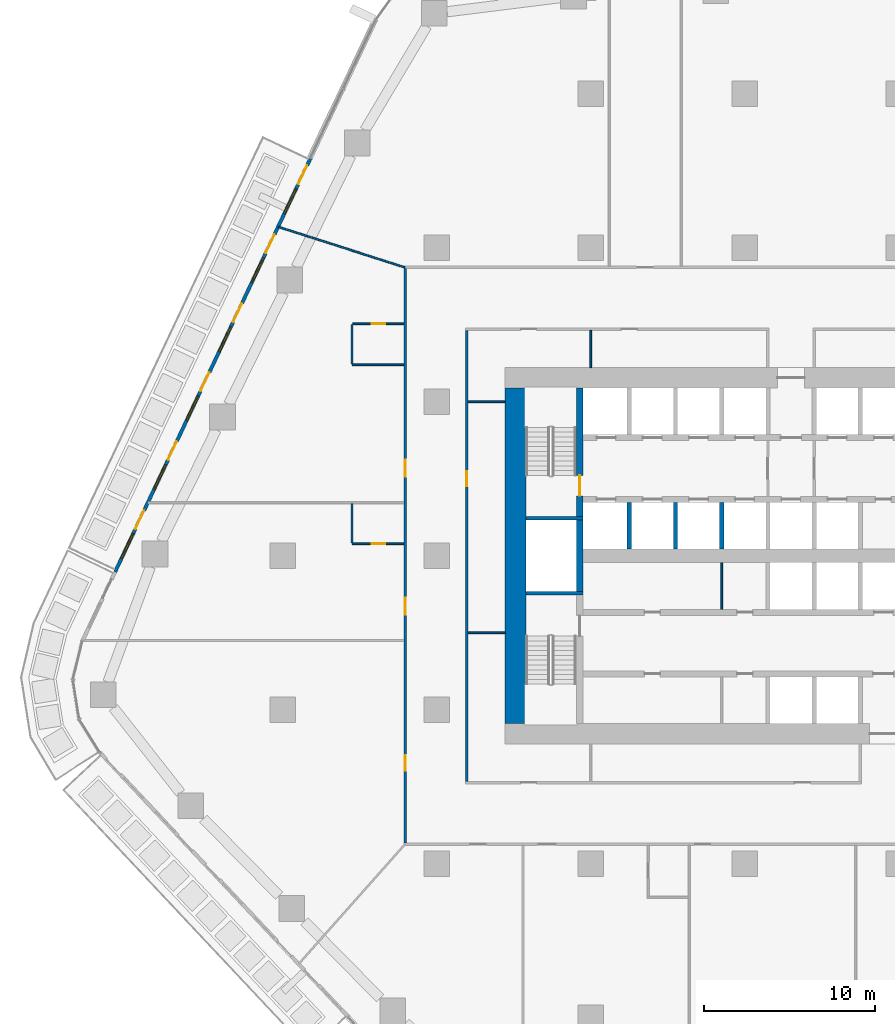
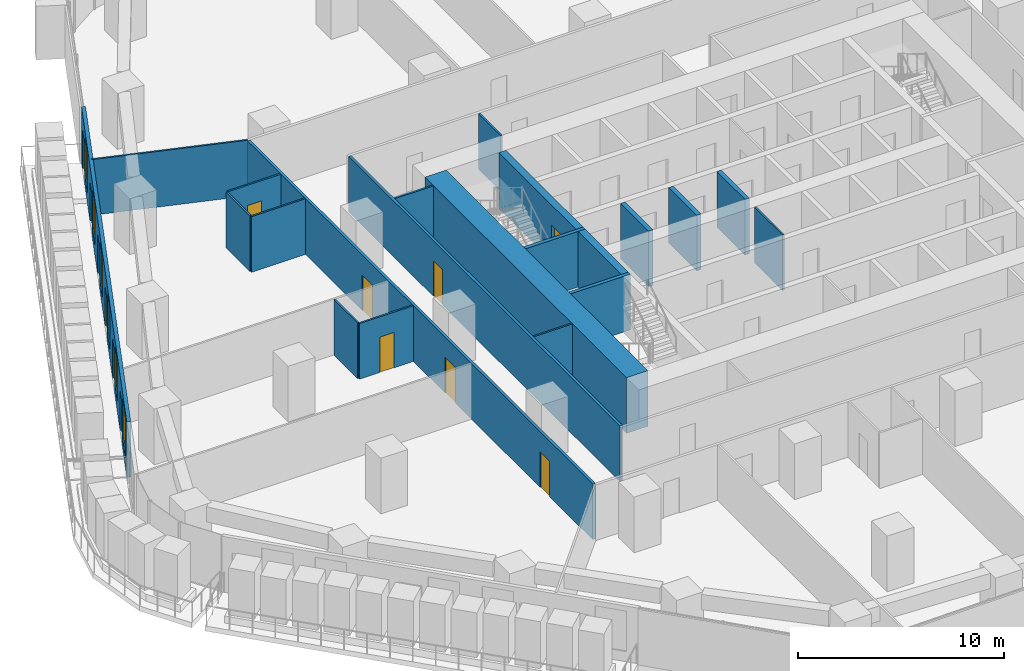
# One storey, part 15 of 25: 21 walls, 13 doors, 6 windows, 19 openings.
"""IFC4 building model written with IfcOpenShell, lengths in metres."""

from ifc_helpers import new_model, si_unit, direction, frame, frame_2d, origin, place, context, subcontext, project, spatial, rectangle, extrude, material, layer, layer_set, type_object, element, fill, save


model = new_model("IFC4")

# Units and contexts
model_context = context("Model", 3, precision=1e-05, world=origin(), true_north=direction((0.0, 1.0)))
body_context = subcontext(model_context, "Body", "Model", "MODEL_VIEW")
ifc_project = project(units=[si_unit("LENGTHUNIT", "METRE"), si_unit("AREAUNIT", "SQUARE_METRE"), si_unit("VOLUMEUNIT", "CUBIC_METRE"), si_unit("PLANEANGLEUNIT", "RADIAN"), si_unit("MASSUNIT", "GRAM", prefix="KILO")], contexts=[model_context])

# Site, building, storey
site_placement = place(None, origin())
site = spatial("IfcSite", under=ifc_project, at=site_placement, CompositionType="ELEMENT")
building_placement = place(site_placement, origin())
building = spatial("IfcBuilding", under=site, at=building_placement, Name="Dongbaek Canopy Tower", CompositionType="ELEMENT")
storey_placement = place(building_placement, frame((0.0, 0.0, 81.0)))
storey = spatial("IfcBuildingStorey", under=building, at=storey_placement, Name="L16", CompositionType="ELEMENT", Elevation=81.0)

# Wall
ifc_material_1 = material(Name="Concrete C60/75", Category="concrete")
ifc_layer_1 = layer(ifc_material_1, 1.199951171875)
ifc_layer_set_1 = layer_set([ifc_layer_1], Name="Core outer wall 1200 Concrete C60/75")
wall_type_1 = type_object("IfcWallType", Name="Core outer wall 1200 Concrete C60/75", PredefinedType="SHEAR", material=ifc_layer_set_1)
wall_1_placement = place(storey_placement, frame((-13.39990234375, -9.800048828125, 0.0), z_axis=(0.0, 0.0, 1.0), x_axis=(0.0, 1.0, 0.0)))
element("IfcWall", 1, at=wall_1_placement, inside=storey, type_object=wall_type_1, Name="Core wall", PredefinedType="SHEAR", context=body_context, shape_type="SweptSolid", body=[
    extrude(rectangle(XDim=19.60009765625, YDim=1.199951171875, at=frame_2d((9.800048828125, 0.0))), origin(), (0.0, 0.0, 1.0), 3.300048828125),
])

# Wall, opening, door
ifc_material_2 = material(Name="Gypsum board partition, steel stud, 2 x 15 mm fire board", Category="steel")
ifc_layer_2 = layer(ifc_material_2, 0.14990234375)
ifc_layer_set_2 = layer_set([ifc_layer_2], Name="Fire-rated partition 150 gypsum board")
wall_type_2 = type_object("IfcWallType", Name="Fire-rated partition 150 gypsum board", PredefinedType="PARTITIONING", material=ifc_layer_set_2)
wall_2_placement = place(storey_placement, frame((-16.25, 13.175048828125, 0.0), z_axis=(0.0, 0.0, 1.0), x_axis=(0.0, -1.0, 0.0)))
wall_2 = element("IfcWall", 2, at=wall_2_placement, inside=storey, type_object=wall_type_2, Name="Corridor partition", PredefinedType="PARTITIONING", context=body_context, shape_type="SweptSolid", body=[
    extrude(rectangle(XDim=26.35009765625, YDim=0.14990234375, at=frame_2d((13.175048828125, 0.0))), origin(), (0.0, 0.0, 1.0), 3.300048828125),
])
opening_1_placement = place(wall_2_placement, frame((8.22509765625, 0.0, 0.0)))
opening_1 = element("IfcOpeningElement", 3, at=opening_1_placement, cuts=wall_2, Name="Opening L16-D021", PredefinedType="OPENING", context=body_context, shape_type="SweptSolid", body=[
    extrude(rectangle(XDim=0.89990234375, YDim=2.10009765625, at=frame_2d((0.449951171875, 1.050048828125))), frame((0.0, 0.0849609375, 0.0), z_axis=(0.0, -1.0, 0.0), x_axis=(1.0, 0.0, 0.0)), (0.0, 0.0, 1.0), 0.169921875),
])
ifc_material_3 = material(Name="Timber veneered door leaf", Category="wood")
door_type_1 = type_object("IfcDoorType", Name="Room door 900 x 2100", OperationType="SINGLE_SWING_LEFT", PredefinedType="DOOR", material=ifc_material_3)
door_1_placement = place(opening_1_placement, origin())
door_1 = element("IfcDoor", 4, at=door_1_placement, inside=storey, type_object=door_type_1, Name="Door L16-D021", OperationType="SINGLE_SWING_LEFT", OverallHeight=2.10009765625, OverallWidth=0.89990234375, PredefinedType="DOOR", context=body_context, shape_type="SweptSolid", body=[
    extrude(rectangle(XDim=0.89990234375, YDim=2.10009765625, at=frame_2d((0.449951171875, 1.050048828125))), frame((0.0, 0.02490234375, 0.0), z_axis=(0.0, -1.0, 0.0), x_axis=(1.0, 0.0, 0.0)), (0.0, 0.0, 1.0), 0.050048828125),
])
fill(opening_1, door_1)

# Wall, openings, doors
wall_3_placement = place(storey_placement, frame((-19.85009765625, -16.77490234375, 0.0), z_axis=(0.0, 0.0, 1.0), x_axis=(0.0, 1.0, 0.0)))
wall_3 = element("IfcWall", 5, at=wall_3_placement, inside=storey, type_object=wall_type_2, Name="Corridor partition", PredefinedType="PARTITIONING", context=body_context, shape_type="SweptSolid", body=[
    extrude(rectangle(XDim=33.5498046875, YDim=0.14990234375, at=frame_2d((16.77490234375, 0.0))), origin(), (0.0, 0.0, 1.0), 3.300048828125),
])
opening_2_placement = place(wall_3_placement, frame((13.33154296875, 0.0, 0.0)))
opening_2 = element("IfcOpeningElement", 6, at=opening_2_placement, cuts=wall_3, Name="Opening L16-D002", PredefinedType="OPENING", context=body_context, shape_type="SweptSolid", body=[
    extrude(rectangle(XDim=1.0, YDim=2.10009765625, at=frame_2d((0.5, 1.050048828125))), frame((0.0, 0.0849609375, 0.0), z_axis=(0.0, -1.0, 0.0), x_axis=(1.0, 0.0, 0.0)), (0.0, 0.0, 1.0), 0.169921875),
])
opening_3_placement = place(wall_3_placement, frame((4.20654296875, 0.0, 0.0)))
opening_3 = element("IfcOpeningElement", 7, at=opening_3_placement, cuts=wall_3, Name="Opening L16-D003", PredefinedType="OPENING", context=body_context, shape_type="SweptSolid", body=[
    extrude(rectangle(XDim=0.89990234375, YDim=2.10009765625, at=frame_2d((0.449951171875, 1.050048828125))), frame((0.0, 0.0849609375, 0.0), z_axis=(0.0, -1.0, 0.0), x_axis=(1.0, 0.0, 0.0)), (0.0, 0.0, 1.0), 0.169921875),
])
opening_4_placement = place(wall_3_placement, frame((21.388916015625, 0.0, 0.0)))
opening_4 = element("IfcOpeningElement", 8, at=opening_4_placement, cuts=wall_3, Name="Opening L16-D013", PredefinedType="OPENING", context=body_context, shape_type="SweptSolid", body=[
    extrude(rectangle(XDim=1.0, YDim=2.10009765625, at=frame_2d((0.5, 1.050048828125))), frame((0.0, 0.0849609375, 0.0), z_axis=(0.0, -1.0, 0.0), x_axis=(1.0, 0.0, 0.0)), (0.0, 0.0, 1.0), 0.169921875),
])
ifc_material_4 = material(Name="Timber veneered door leaf", Category="wood")
door_type_2 = type_object("IfcDoorType", Name="Guest room door 1000 x 2100", OperationType="SINGLE_SWING_LEFT", PredefinedType="DOOR", material=ifc_material_4)
door_2_placement = place(opening_2_placement, origin())
door_2 = element("IfcDoor", 9, at=door_2_placement, inside=storey, type_object=door_type_2, Name="Door L16-D002", OperationType="SINGLE_SWING_RIGHT", OverallHeight=2.10009765625, OverallWidth=1.0, PredefinedType="DOOR", context=body_context, shape_type="SweptSolid", body=[
    extrude(rectangle(XDim=1.0, YDim=2.10009765625, at=frame_2d((0.5, 1.050048828125))), frame((0.0, 0.02490234375, 0.0), z_axis=(0.0, -1.0, 0.0), x_axis=(1.0, 0.0, 0.0)), (0.0, 0.0, 1.0), 0.050048828125),
])
fill(opening_2, door_2)
door_3_placement = place(opening_4_placement, origin())
door_3 = element("IfcDoor", 10, at=door_3_placement, inside=storey, type_object=door_type_2, Name="Door L16-D013", OperationType="SINGLE_SWING_LEFT", OverallHeight=2.10009765625, OverallWidth=1.0, PredefinedType="DOOR", context=body_context, shape_type="SweptSolid", body=[
    extrude(rectangle(XDim=1.0, YDim=2.10009765625, at=frame_2d((0.5, 1.050048828125))), frame((0.0, 0.02490234375, 0.0), z_axis=(0.0, -1.0, 0.0), x_axis=(1.0, 0.0, 0.0)), (0.0, 0.0, 1.0), 0.050048828125),
])
fill(opening_4, door_3)
door_4_placement = place(opening_3_placement, origin())
door_4 = element("IfcDoor", 11, at=door_4_placement, inside=storey, type_object=door_type_1, Name="Door L16-D003", OperationType="SINGLE_SWING_LEFT", OverallHeight=2.10009765625, OverallWidth=0.89990234375, PredefinedType="DOOR", context=body_context, shape_type="SweptSolid", body=[
    extrude(rectangle(XDim=0.89990234375, YDim=2.10009765625, at=frame_2d((0.449951171875, 1.050048828125))), frame((0.0, 0.02490234375, 0.0), z_axis=(0.0, -1.0, 0.0), x_axis=(1.0, 0.0, 0.0)), (0.0, 0.0, 1.0), 0.050048828125),
])
fill(opening_3, door_4)

# Walls
ifc_material_5 = material(Name="Concrete C40/50", Category="concrete")
ifc_layer_3 = layer(ifc_material_5, 0.25)
ifc_layer_set_3 = layer_set([ifc_layer_3], Name="Lift shaft wall 250 Concrete C40/50")
wall_type_3 = type_object("IfcWallType", Name="Lift shaft wall 250 Concrete C40/50", PredefinedType="SOLIDWALL", material=ifc_layer_set_3)
for number, where, z_axis, x_axis, name in (
    (12, (-1.35009765625, 0.39990234375, 0.0), (0.0, 0.0, 1.0), (0.0, 1.0, 0.0), "Lift shaft wall"),
    (13, (-4.050048828125, 0.39990234375, 0.0), (0.0, 0.0, 1.0), (0.0, 1.0, 0.0), "Lift shaft wall"),
    (14, (-6.75, 0.39990234375, 0.0), (0.0, 0.0, 1.0), (0.0, 1.0, 0.0), "Lift shaft wall"),
):
    element("IfcWall", number, at=place(storey_placement, frame(where, z_axis=z_axis, x_axis=x_axis)), inside=storey, type_object=wall_type_3, Name=name, PredefinedType="SOLIDWALL", context=body_context, shape_type="SweptSolid", body=[
        extrude(rectangle(XDim=2.72509765625, YDim=0.25, at=frame_2d((1.362548828125, 0.0))), origin(), (0.0, 0.0, 1.0), 3.300048828125),
    ])
ifc_material_6 = material(Name="Gypsum board partition, steel stud, 2 x 12.5 mm board", Category="steel")
ifc_layer_4 = layer(ifc_material_6, 0.10009765625)
ifc_layer_set_4 = layer_set([ifc_layer_4], Name="Partition 100 gypsum board")
wall_type_4 = type_object("IfcWallType", Name="Partition 100 gypsum board", PredefinedType="PARTITIONING", material=ifc_layer_set_4)
wall_4_placement = place(storey_placement, frame((-16.175048828125, -4.5, 0.0), z_axis=(0.0, 0.0, 1.0), x_axis=(1.0, 0.0, 0.0)))
element("IfcWall", 15, at=wall_4_placement, inside=storey, type_object=wall_type_4, Name="Partition", PredefinedType="PARTITIONING", context=body_context, shape_type="SweptSolid", body=[
    extrude(rectangle(XDim=2.175048828125, YDim=0.10009765625, at=frame_2d((1.08740234375, 0.0))), origin(), (0.0, 0.0, 1.0), 3.300048828125),
])

# Wall, opening, door
wall_5_placement = place(storey_placement, frame((-22.949951171875, 0.697998046875, 0.0), z_axis=(0.0, 0.0, 1.0), x_axis=(1.0, 0.0, 0.0)))
wall_5 = element("IfcWall", 16, at=wall_5_placement, inside=storey, type_object=wall_type_4, Name="Partition", PredefinedType="PARTITIONING", context=body_context, shape_type="SweptSolid", body=[
    extrude(rectangle(XDim=3.02490234375, YDim=0.10009765625, at=frame_2d((1.512451171875, 0.0))), origin(), (0.0, 0.0, 1.0), 3.300048828125),
])
opening_5_placement = place(wall_5_placement, frame((1.14990234375, 0.0, 0.0)))
opening_5 = element("IfcOpeningElement", 17, at=opening_5_placement, cuts=wall_5, Name="Opening L16-D001", PredefinedType="OPENING", context=body_context, shape_type="SweptSolid", body=[
    extrude(rectangle(XDim=0.800048828125, YDim=2.10009765625, at=frame_2d((0.39990234375, 1.050048828125))), frame((0.0, 0.06005859375, 0.0), z_axis=(0.0, -1.0, 0.0), x_axis=(1.0, 0.0, 0.0)), (0.0, 0.0, 1.0), 0.1201171875),
])
ifc_material_7 = material(Name="Timber veneered door leaf", Category="wood")
door_type_3 = type_object("IfcDoorType", Name="En-suite door 800 x 2100", OperationType="SINGLE_SWING_LEFT", PredefinedType="DOOR", material=ifc_material_7)
door_5_placement = place(opening_5_placement, origin())
door_5 = element("IfcDoor", 18, at=door_5_placement, inside=storey, type_object=door_type_3, Name="Door L16-D001", OperationType="SINGLE_SWING_LEFT", OverallHeight=2.10009765625, OverallWidth=0.800048828125, PredefinedType="DOOR", context=body_context, shape_type="SweptSolid", body=[
    extrude(rectangle(XDim=0.800048828125, YDim=2.10009765625, at=frame_2d((0.39990234375, 1.050048828125))), frame((0.0, 0.02490234375, 0.0), z_axis=(0.0, -1.0, 0.0), x_axis=(1.0, 0.0, 0.0)), (0.0, 0.0, 1.0), 0.050048828125),
])
fill(opening_5, door_5)

# Walls
wall_6_placement = place(storey_placement, frame((-16.175048828125, 9.0, 0.0), z_axis=(0.0, 0.0, 1.0), x_axis=(1.0, 0.0, 0.0)))
element("IfcWall", 19, at=wall_6_placement, inside=storey, type_object=wall_type_4, Name="Partition", PredefinedType="PARTITIONING", context=body_context, shape_type="SweptSolid", body=[
    extrude(rectangle(XDim=2.175048828125, YDim=0.10009765625, at=frame_2d((1.08740234375, 0.0))), origin(), (0.0, 0.0, 1.0), 3.300048828125),
])
wall_7_placement = place(storey_placement, frame((-22.949951171875, 11.159912109375, 0.0), z_axis=(0.0, 0.0, 1.0), x_axis=(1.0, 0.0, 0.0)))
element("IfcWall", 20, at=wall_7_placement, inside=storey, type_object=wall_type_4, Name="Partition", PredefinedType="PARTITIONING", context=body_context, shape_type="SweptSolid", body=[
    extrude(rectangle(XDim=3.02490234375, YDim=0.10009765625, at=frame_2d((1.512451171875, 0.0))), origin(), (0.0, 0.0, 1.0), 3.300048828125),
])

# Wall, opening, door
wall_8_placement = place(storey_placement, frame((-19.925048828125, 13.56005859375, 0.0), z_axis=(0.0, 0.0, 1.0), x_axis=(-1.0, 0.0, 0.0)))
wall_8 = element("IfcWall", 21, at=wall_8_placement, inside=storey, type_object=wall_type_4, Name="Partition", PredefinedType="PARTITIONING", context=body_context, shape_type="SweptSolid", body=[
    extrude(rectangle(XDim=2.974853515625, YDim=0.10009765625, at=frame_2d((1.4873046875, 0.0))), origin(), (0.0, 0.0, 1.0), 3.300048828125),
])
opening_6_placement = place(wall_8_placement, frame((1.074951171875, 0.0, 0.0)))
opening_6 = element("IfcOpeningElement", 22, at=opening_6_placement, cuts=wall_8, Name="Opening L16-D012", PredefinedType="OPENING", context=body_context, shape_type="SweptSolid", body=[
    extrude(rectangle(XDim=0.800048828125, YDim=2.10009765625, at=frame_2d((0.39990234375, 1.050048828125))), frame((0.0, 0.06005859375, 0.0), z_axis=(0.0, -1.0, 0.0), x_axis=(1.0, 0.0, 0.0)), (0.0, 0.0, 1.0), 0.1201171875),
])
door_6_placement = place(opening_6_placement, origin())
door_6 = element("IfcDoor", 23, at=door_6_placement, inside=storey, type_object=door_type_3, Name="Door L16-D012", OperationType="SINGLE_SWING_RIGHT", OverallHeight=2.10009765625, OverallWidth=0.800048828125, PredefinedType="DOOR", context=body_context, shape_type="SweptSolid", body=[
    extrude(rectangle(XDim=0.800048828125, YDim=2.10009765625, at=frame_2d((0.39990234375, 1.050048828125))), frame((0.0, 0.02490234375, 0.0), z_axis=(0.0, -1.0, 0.0), x_axis=(1.0, 0.0, 0.0)), (0.0, 0.0, 1.0), 0.050048828125),
])
fill(opening_6, door_6)

# Walls
wall_9_placement = place(storey_placement, frame((-9.0, 11.0, 0.0), z_axis=(0.0, 0.0, 1.0), x_axis=(0.0, 1.0, 0.0)))
element("IfcWall", 24, at=wall_9_placement, inside=storey, type_object=wall_type_4, Name="Partition", PredefinedType="PARTITIONING", context=body_context, shape_type="SweptSolid", body=[
    extrude(rectangle(XDim=2.175048828125, YDim=0.10009765625, at=frame_2d((1.08740234375, 0.0))), origin(), (0.0, 0.0, 1.0), 3.300048828125),
])
wall_10_placement = place(storey_placement, frame((-22.949951171875, 0.748291015625, 0.0), z_axis=(0.0, 0.0, 1.0), x_axis=(0.0, 1.0, 0.0)))
element("IfcWall", 25, at=wall_10_placement, inside=storey, type_object=wall_type_4, Name="Partition", PredefinedType="PARTITIONING", context=body_context, shape_type="SweptSolid", body=[
    extrude(rectangle(XDim=2.2998046875, YDim=0.10009765625, at=frame_2d((1.14990234375, 0.0))), origin(), (0.0, 0.0, 1.0), 3.300048828125),
])
wall_11_placement = place(storey_placement, frame((-22.949951171875, 11.210205078125, 0.0), z_axis=(0.0, 0.0, 1.0), x_axis=(0.0, 1.0, 0.0)))
element("IfcWall", 26, at=wall_11_placement, inside=storey, type_object=wall_type_4, Name="Partition", PredefinedType="PARTITIONING", context=body_context, shape_type="SweptSolid", body=[
    extrude(rectangle(XDim=2.300048828125, YDim=0.10009765625, at=frame_2d((1.14990234375, 0.0))), origin(), (0.0, 0.0, 1.0), 3.300048828125),
])
wall_12_placement = place(storey_placement, frame((-27.25341796875, 19.2158203125, 0.0), z_axis=(0.0, 0.0, 1.0), x_axis=(0.952548805098, -0.304385896366, 0.0)))
element("IfcWall", 27, at=wall_12_placement, inside=storey, type_object=wall_type_4, Name="Partition", PredefinedType="PARTITIONING", context=body_context, shape_type="SweptSolid", body=[
    extrude(rectangle(XDim=7.772216796875, YDim=0.10009765625, at=frame_2d((3.88623046875, 0.0))), origin(), (0.0, 0.0, 1.0), 3.300048828125),
])
wall_13_placement = place(storey_placement, frame((-1.35009765625, -3.125, 0.0), z_axis=(0.0, 0.0, 1.0), x_axis=(0.0, 1.0, 0.0)))
element("IfcWall", 28, at=wall_13_placement, inside=storey, type_object=wall_type_4, Name="Core partition", PredefinedType="PARTITIONING", context=body_context, shape_type="SweptSolid", body=[
    extrude(rectangle(XDim=2.72509765625, YDim=0.10009765625, at=frame_2d((1.362548828125, 0.0))), origin(), (0.0, 0.0, 1.0), 3.300048828125),
])
ifc_material_8 = material(Name="Concrete C60/75", Category="concrete")
ifc_layer_5 = layer(ifc_material_8, 0.199951171875)
ifc_layer_set_5 = layer_set([ifc_layer_5], Name="Riser wall 200 Concrete C60/75")
wall_type_5 = type_object("IfcWallType", Name="Riser wall 200 Concrete C60/75", PredefinedType="SHEAR", material=ifc_layer_set_5)
for number, where, z_axis, x_axis, name in (
    (29, (-9.449951171875, 2.199951171875, 0.0), (0.0, 0.0, 1.0), (-1.0, 0.0, 0.0), "Riser wall"),
    (30, (-9.449951171875, -2.199951171875, 0.0), (0.0, 0.0, 1.0), (-1.0, 0.0, 0.0), "Riser wall"),
):
    element("IfcWall", number, at=place(storey_placement, frame(where, z_axis=z_axis, x_axis=x_axis)), inside=storey, type_object=wall_type_5, Name=name, PredefinedType="SHEAR", context=body_context, shape_type="SweptSolid", body=[
        extrude(rectangle(XDim=3.35009765625, YDim=0.199951171875, at=frame_2d((1.675048828125, 0.0))), origin(), (0.0, 0.0, 1.0), 3.300048828125),
    ])
ifc_material_9 = material(Name="Concrete C60/75", Category="concrete")
ifc_layer_6 = layer(ifc_material_9, 0.39990234375)
ifc_layer_set_6 = layer_set([ifc_layer_6], Name="Stair wall 400 Concrete C60/75")
wall_type_6 = type_object("IfcWallType", Name="Stair wall 400 Concrete C60/75", PredefinedType="SHEAR", material=ifc_layer_set_6)
wall_14_placement = place(storey_placement, frame((-9.64990234375, -2.10009765625, 0.0), z_axis=(0.0, 0.0, 1.0), x_axis=(0.0, 1.0, 0.0)))
element("IfcWall", 31, at=wall_14_placement, inside=storey, type_object=wall_type_6, Name="Stair wall", PredefinedType="SHEAR", context=body_context, shape_type="SweptSolid", body=[
    extrude(rectangle(XDim=4.2001953125, YDim=0.39990234375, at=frame_2d((2.10009765625, 0.0))), origin(), (0.0, 0.0, 1.0), 3.300048828125),
])

# Wall, opening, door
wall_15_placement = place(storey_placement, frame((-9.64990234375, 2.300048828125, 0.0), z_axis=(0.0, 0.0, 1.0), x_axis=(0.0, 1.0, 0.0)))
wall_15 = element("IfcWall", 32, at=wall_15_placement, inside=storey, type_object=wall_type_6, Name="Stair wall", PredefinedType="SHEAR", context=body_context, shape_type="SweptSolid", body=[
    extrude(rectangle(XDim=7.5, YDim=0.39990234375, at=frame_2d((3.75, 0.0))), origin(), (0.0, 0.0, 1.0), 3.300048828125),
])
opening_7_placement = place(wall_15_placement, frame((1.199951171875, 0.0, 0.0)))
opening_7 = element("IfcOpeningElement", 33, at=opening_7_placement, cuts=wall_15, Name="Opening L16-D046", PredefinedType="OPENING", context=body_context, shape_type="SweptSolid", body=[
    extrude(rectangle(XDim=1.199951171875, YDim=2.10009765625, at=frame_2d((0.60009765625, 1.050048828125))), frame((0.0, 0.2099609375, 0.0), z_axis=(0.0, -1.0, 0.0), x_axis=(1.0, 0.0, 0.0)), (0.0, 0.0, 1.0), 0.419921875),
])
ifc_material_10 = material(Name="Steel", Category="steel")
door_type_4 = type_object("IfcDoorType", Name="Stair door 1200 x 2100", OperationType="SINGLE_SWING_LEFT", PredefinedType="DOOR", material=ifc_material_10)
door_7_placement = place(opening_7_placement, origin())
door_7 = element("IfcDoor", 34, at=door_7_placement, inside=storey, type_object=door_type_4, Name="Stair C door", OperationType="SINGLE_SWING_RIGHT", OverallHeight=2.10009765625, OverallWidth=1.199951171875, PredefinedType="DOOR", context=body_context, shape_type="SweptSolid", body=[
    extrude(rectangle(XDim=1.199951171875, YDim=2.10009765625, at=frame_2d((0.60009765625, 1.050048828125))), frame((0.0, 0.02490234375, 0.0), z_axis=(0.0, -1.0, 0.0), x_axis=(1.0, 0.0, 0.0)), (0.0, 0.0, 1.0), 0.050048828125),
])
fill(opening_7, door_7)

# Wall, openings, doors, windows
ifc_material_11 = material(Name="Aluminium window wall", Category="aluminium")
ifc_layer_7 = layer(ifc_material_11, 0.199951171875)
ifc_layer_set_7 = layer_set([ifc_layer_7], Name="Window wall 200")
wall_type_7 = type_object("IfcWallType", Name="Window wall 200", PredefinedType="SOLIDWALL", material=ifc_layer_set_7)
wall_16_placement = place(storey_placement, frame((-25.3681640625, 23.253173828125, 0.0), z_axis=(0.0, 0.0, 1.0), x_axis=(-0.427150376431, -0.90418059917, 0.0)))
wall_16 = element("IfcWall", 35, at=wall_16_placement, inside=storey, type_object=wall_type_7, Name="Window wall L16 2", PredefinedType="SOLIDWALL", context=body_context, shape_type="SweptSolid", body=[
    extrude(rectangle(XDim=26.748779296875, YDim=0.199951171875, at=frame_2d((13.37451171875, 0.0))), origin(), (0.0, 0.0, 1.0), 3.300048828125),
])
opening_8_placement = place(wall_16_placement, frame((2.0, 0.0, 0.60009765625)))
opening_8 = element("IfcOpeningElement", 36, at=opening_8_placement, cuts=wall_16, Name="Opening W1", PredefinedType="OPENING", context=body_context, shape_type="SweptSolid", body=[
    extrude(rectangle(XDim=1.60009765625, YDim=2.39990234375, at=frame_2d((0.800048828125, 1.199951171875))), frame((0.0, 0.10986328125, 0.0), z_axis=(0.0, -1.0, 0.0), x_axis=(1.0, 0.0, 0.0)), (0.0, 0.0, 1.0), 0.219970703125),
])
opening_9_placement = place(wall_16_placement, frame((0.5, 0.0, 0.0)))
opening_9 = element("IfcOpeningElement", 37, at=opening_9_placement, cuts=wall_16, Name="Opening L16-B06", PredefinedType="OPENING", context=body_context, shape_type="SweptSolid", body=[
    extrude(rectangle(XDim=1.199951171875, YDim=2.39990234375, at=frame_2d((0.60009765625, 1.199951171875))), frame((0.0, 0.10986328125, 0.0), z_axis=(0.0, -1.0, 0.0), x_axis=(1.0, 0.0, 0.0)), (0.0, 0.0, 1.0), 0.219970703125),
])
opening_10_placement = place(wall_16_placement, frame((6.4580078125, 0.0, 0.60009765625)))
opening_10 = element("IfcOpeningElement", 38, at=opening_10_placement, cuts=wall_16, Name="Opening W1", PredefinedType="OPENING", context=body_context, shape_type="SweptSolid", body=[
    extrude(rectangle(XDim=1.60009765625, YDim=2.39990234375, at=frame_2d((0.800048828125, 1.199951171875))), frame((0.0, 0.10986328125, 0.0), z_axis=(0.0, -1.0, 0.0), x_axis=(1.0, 0.0, 0.0)), (0.0, 0.0, 1.0), 0.219970703125),
])
opening_11_placement = place(wall_16_placement, frame((4.9580078125, 0.0, 0.0)))
opening_11 = element("IfcOpeningElement", 39, at=opening_11_placement, cuts=wall_16, Name="Opening L16-B07", PredefinedType="OPENING", context=body_context, shape_type="SweptSolid", body=[
    extrude(rectangle(XDim=1.199951171875, YDim=2.39990234375, at=frame_2d((0.60009765625, 1.199951171875))), frame((0.0, 0.10986328125, 0.0), z_axis=(0.0, -1.0, 0.0), x_axis=(1.0, 0.0, 0.0)), (0.0, 0.0, 1.0), 0.219970703125),
])
opening_12_placement = place(wall_16_placement, frame((10.916259765625, 0.0, 0.60009765625)))
opening_12 = element("IfcOpeningElement", 40, at=opening_12_placement, cuts=wall_16, Name="Opening W1", PredefinedType="OPENING", context=body_context, shape_type="SweptSolid", body=[
    extrude(rectangle(XDim=1.60009765625, YDim=2.39990234375, at=frame_2d((0.800048828125, 1.199951171875))), frame((0.0, 0.10986328125, 0.0), z_axis=(0.0, -1.0, 0.0), x_axis=(1.0, 0.0, 0.0)), (0.0, 0.0, 1.0), 0.219970703125),
])
opening_13_placement = place(wall_16_placement, frame((9.416259765625, 0.0, 0.0)))
opening_13 = element("IfcOpeningElement", 41, at=opening_13_placement, cuts=wall_16, Name="Opening L16-B08", PredefinedType="OPENING", context=body_context, shape_type="SweptSolid", body=[
    extrude(rectangle(XDim=1.199951171875, YDim=2.39990234375, at=frame_2d((0.60009765625, 1.199951171875))), frame((0.0, 0.10986328125, 0.0), z_axis=(0.0, -1.0, 0.0), x_axis=(1.0, 0.0, 0.0)), (0.0, 0.0, 1.0), 0.219970703125),
])
opening_14_placement = place(wall_16_placement, frame((15.374267578125, 0.0, 0.60009765625)))
opening_14 = element("IfcOpeningElement", 42, at=opening_14_placement, cuts=wall_16, Name="Opening W1", PredefinedType="OPENING", context=body_context, shape_type="SweptSolid", body=[
    extrude(rectangle(XDim=1.60009765625, YDim=2.39990234375, at=frame_2d((0.800048828125, 1.199951171875))), frame((0.0, 0.10986328125, 0.0), z_axis=(0.0, -1.0, 0.0), x_axis=(1.0, 0.0, 0.0)), (0.0, 0.0, 1.0), 0.219970703125),
])
opening_15_placement = place(wall_16_placement, frame((13.874267578125, 0.0, 0.0)))
opening_15 = element("IfcOpeningElement", 43, at=opening_15_placement, cuts=wall_16, Name="Opening L16-B09", PredefinedType="OPENING", context=body_context, shape_type="SweptSolid", body=[
    extrude(rectangle(XDim=1.199951171875, YDim=2.39990234375, at=frame_2d((0.60009765625, 1.199951171875))), frame((0.0, 0.10986328125, 0.0), z_axis=(0.0, -1.0, 0.0), x_axis=(1.0, 0.0, 0.0)), (0.0, 0.0, 1.0), 0.219970703125),
])
opening_16_placement = place(wall_16_placement, frame((19.83251953125, 0.0, 0.60009765625)))
opening_16 = element("IfcOpeningElement", 44, at=opening_16_placement, cuts=wall_16, Name="Opening W1", PredefinedType="OPENING", context=body_context, shape_type="SweptSolid", body=[
    extrude(rectangle(XDim=1.60009765625, YDim=2.39990234375, at=frame_2d((0.800048828125, 1.199951171875))), frame((0.0, 0.10986328125, 0.0), z_axis=(0.0, -1.0, 0.0), x_axis=(1.0, 0.0, 0.0)), (0.0, 0.0, 1.0), 0.219970703125),
])
opening_17_placement = place(wall_16_placement, frame((18.33251953125, 0.0, 0.0)))
opening_17 = element("IfcOpeningElement", 45, at=opening_17_placement, cuts=wall_16, Name="Opening L16-B10", PredefinedType="OPENING", context=body_context, shape_type="SweptSolid", body=[
    extrude(rectangle(XDim=1.199951171875, YDim=2.39990234375, at=frame_2d((0.60009765625, 1.199951171875))), frame((0.0, 0.10986328125, 0.0), z_axis=(0.0, -1.0, 0.0), x_axis=(1.0, 0.0, 0.0)), (0.0, 0.0, 1.0), 0.219970703125),
])
opening_18_placement = place(wall_16_placement, frame((24.29052734375, 0.0, 0.60009765625)))
opening_18 = element("IfcOpeningElement", 46, at=opening_18_placement, cuts=wall_16, Name="Opening W1", PredefinedType="OPENING", context=body_context, shape_type="SweptSolid", body=[
    extrude(rectangle(XDim=1.60009765625, YDim=2.39990234375, at=frame_2d((0.800048828125, 1.199951171875))), frame((0.0, 0.10986328125, 0.0), z_axis=(0.0, -1.0, 0.0), x_axis=(1.0, 0.0, 0.0)), (0.0, 0.0, 1.0), 0.219970703125),
])
opening_19_placement = place(wall_16_placement, frame((22.79052734375, 0.0, 0.0)))
opening_19 = element("IfcOpeningElement", 47, at=opening_19_placement, cuts=wall_16, Name="Opening L16-B11", PredefinedType="OPENING", context=body_context, shape_type="SweptSolid", body=[
    extrude(rectangle(XDim=1.199951171875, YDim=2.39990234375, at=frame_2d((0.60009765625, 1.199951171875))), frame((0.0, 0.10986328125, 0.0), z_axis=(0.0, -1.0, 0.0), x_axis=(1.0, 0.0, 0.0)), (0.0, 0.0, 1.0), 0.219970703125),
])
ifc_material_12 = material(Name="Clear glazing in aluminium frame", Category="aluminium")
door_type_5 = type_object("IfcDoorType", Name="Balcony door BD1 1200 x 2400", OperationType="SLIDING_TO_LEFT", PredefinedType="DOOR", material=ifc_material_12)
door_8_placement = place(opening_9_placement, origin())
door_8 = element("IfcDoor", 48, at=door_8_placement, inside=storey, type_object=door_type_5, Name="Balcony door L16-B06", OperationType="SLIDING_TO_LEFT", OverallHeight=2.39990234375, OverallWidth=1.199951171875, PredefinedType="DOOR", context=body_context, shape_type="SweptSolid", body=[
    extrude(rectangle(XDim=1.199951171875, YDim=2.39990234375, at=frame_2d((0.60009765625, 1.199951171875))), frame((0.0, 0.02490234375, 0.0), z_axis=(0.0, -1.0, 0.0), x_axis=(1.0, 0.0, 0.0)), (0.0, 0.0, 1.0), 0.050048828125),
])
fill(opening_9, door_8)
door_9_placement = place(opening_11_placement, origin())
door_9 = element("IfcDoor", 49, at=door_9_placement, inside=storey, type_object=door_type_5, Name="Balcony door L16-B07", OperationType="SLIDING_TO_LEFT", OverallHeight=2.39990234375, OverallWidth=1.199951171875, PredefinedType="DOOR", context=body_context, shape_type="SweptSolid", body=[
    extrude(rectangle(XDim=1.199951171875, YDim=2.39990234375, at=frame_2d((0.60009765625, 1.199951171875))), frame((0.0, 0.02490234375, 0.0), z_axis=(0.0, -1.0, 0.0), x_axis=(1.0, 0.0, 0.0)), (0.0, 0.0, 1.0), 0.050048828125),
])
fill(opening_11, door_9)
door_10_placement = place(opening_13_placement, origin())
door_10 = element("IfcDoor", 50, at=door_10_placement, inside=storey, type_object=door_type_5, Name="Balcony door L16-B08", OperationType="SLIDING_TO_LEFT", OverallHeight=2.39990234375, OverallWidth=1.199951171875, PredefinedType="DOOR", context=body_context, shape_type="SweptSolid", body=[
    extrude(rectangle(XDim=1.199951171875, YDim=2.39990234375, at=frame_2d((0.60009765625, 1.199951171875))), frame((0.0, 0.02490234375, 0.0), z_axis=(0.0, -1.0, 0.0), x_axis=(1.0, 0.0, 0.0)), (0.0, 0.0, 1.0), 0.050048828125),
])
fill(opening_13, door_10)
door_11_placement = place(opening_15_placement, origin())
door_11 = element("IfcDoor", 51, at=door_11_placement, inside=storey, type_object=door_type_5, Name="Balcony door L16-B09", OperationType="SLIDING_TO_LEFT", OverallHeight=2.39990234375, OverallWidth=1.199951171875, PredefinedType="DOOR", context=body_context, shape_type="SweptSolid", body=[
    extrude(rectangle(XDim=1.199951171875, YDim=2.39990234375, at=frame_2d((0.60009765625, 1.199951171875))), frame((0.0, 0.02490234375, 0.0), z_axis=(0.0, -1.0, 0.0), x_axis=(1.0, 0.0, 0.0)), (0.0, 0.0, 1.0), 0.050048828125),
])
fill(opening_15, door_11)
door_12_placement = place(opening_17_placement, origin())
door_12 = element("IfcDoor", 52, at=door_12_placement, inside=storey, type_object=door_type_5, Name="Balcony door L16-B10", OperationType="SLIDING_TO_LEFT", OverallHeight=2.39990234375, OverallWidth=1.199951171875, PredefinedType="DOOR", context=body_context, shape_type="SweptSolid", body=[
    extrude(rectangle(XDim=1.199951171875, YDim=2.39990234375, at=frame_2d((0.60009765625, 1.199951171875))), frame((0.0, 0.02490234375, 0.0), z_axis=(0.0, -1.0, 0.0), x_axis=(1.0, 0.0, 0.0)), (0.0, 0.0, 1.0), 0.050048828125),
])
fill(opening_17, door_12)
door_13_placement = place(opening_19_placement, origin())
door_13 = element("IfcDoor", 53, at=door_13_placement, inside=storey, type_object=door_type_5, Name="Balcony door L16-B11", OperationType="SLIDING_TO_LEFT", OverallHeight=2.39990234375, OverallWidth=1.199951171875, PredefinedType="DOOR", context=body_context, shape_type="SweptSolid", body=[
    extrude(rectangle(XDim=1.199951171875, YDim=2.39990234375, at=frame_2d((0.60009765625, 1.199951171875))), frame((0.0, 0.02490234375, 0.0), z_axis=(0.0, -1.0, 0.0), x_axis=(1.0, 0.0, 0.0)), (0.0, 0.0, 1.0), 0.050048828125),
])
fill(opening_19, door_13)
ifc_material_13 = material(Name="Clear glazing in aluminium frame", Category="aluminium")
window_type = type_object("IfcWindowType", Name="Window W1 1600 x 2400", PartitioningType="SINGLE_PANEL", PredefinedType="WINDOW", material=ifc_material_13)
window_1_placement = place(opening_8_placement, origin())
window_1 = element("IfcWindow", 54, at=window_1_placement, inside=storey, type_object=window_type, Name="Window L16 2.1", OverallHeight=2.39990234375, OverallWidth=1.60009765625, PartitioningType="SINGLE_PANEL", PredefinedType="WINDOW", context=body_context, shape_type="SweptSolid", body=[
    extrude(rectangle(XDim=1.60009765625, YDim=2.39990234375, at=frame_2d((0.800048828125, 1.199951171875))), frame((0.0, 0.030029296875, 0.0), z_axis=(0.0, -1.0, 0.0), x_axis=(1.0, 0.0, 0.0)), (0.0, 0.0, 1.0), 0.06005859375),
])
fill(opening_8, window_1)
window_2_placement = place(opening_10_placement, origin())
window_2 = element("IfcWindow", 55, at=window_2_placement, inside=storey, type_object=window_type, Name="Window L16 2.2", OverallHeight=2.39990234375, OverallWidth=1.60009765625, PartitioningType="SINGLE_PANEL", PredefinedType="WINDOW", context=body_context, shape_type="SweptSolid", body=[
    extrude(rectangle(XDim=1.60009765625, YDim=2.39990234375, at=frame_2d((0.800048828125, 1.199951171875))), frame((0.0, 0.030029296875, 0.0), z_axis=(0.0, -1.0, 0.0), x_axis=(1.0, 0.0, 0.0)), (0.0, 0.0, 1.0), 0.06005859375),
])
fill(opening_10, window_2)
window_3_placement = place(opening_12_placement, origin())
window_3 = element("IfcWindow", 56, at=window_3_placement, inside=storey, type_object=window_type, Name="Window L16 2.3", OverallHeight=2.39990234375, OverallWidth=1.60009765625, PartitioningType="SINGLE_PANEL", PredefinedType="WINDOW", context=body_context, shape_type="SweptSolid", body=[
    extrude(rectangle(XDim=1.60009765625, YDim=2.39990234375, at=frame_2d((0.800048828125, 1.199951171875))), frame((0.0, 0.030029296875, 0.0), z_axis=(0.0, -1.0, 0.0), x_axis=(1.0, 0.0, 0.0)), (0.0, 0.0, 1.0), 0.06005859375),
])
fill(opening_12, window_3)
window_4_placement = place(opening_14_placement, origin())
window_4 = element("IfcWindow", 57, at=window_4_placement, inside=storey, type_object=window_type, Name="Window L16 2.4", OverallHeight=2.39990234375, OverallWidth=1.60009765625, PartitioningType="SINGLE_PANEL", PredefinedType="WINDOW", context=body_context, shape_type="SweptSolid", body=[
    extrude(rectangle(XDim=1.60009765625, YDim=2.39990234375, at=frame_2d((0.800048828125, 1.199951171875))), frame((0.0, 0.030029296875, 0.0), z_axis=(0.0, -1.0, 0.0), x_axis=(1.0, 0.0, 0.0)), (0.0, 0.0, 1.0), 0.06005859375),
])
fill(opening_14, window_4)
window_5_placement = place(opening_16_placement, origin())
window_5 = element("IfcWindow", 58, at=window_5_placement, inside=storey, type_object=window_type, Name="Window L16 2.5", OverallHeight=2.39990234375, OverallWidth=1.60009765625, PartitioningType="SINGLE_PANEL", PredefinedType="WINDOW", context=body_context, shape_type="SweptSolid", body=[
    extrude(rectangle(XDim=1.60009765625, YDim=2.39990234375, at=frame_2d((0.800048828125, 1.199951171875))), frame((0.0, 0.030029296875, 0.0), z_axis=(0.0, -1.0, 0.0), x_axis=(1.0, 0.0, 0.0)), (0.0, 0.0, 1.0), 0.06005859375),
])
fill(opening_16, window_5)
window_6_placement = place(opening_18_placement, origin())
window_6 = element("IfcWindow", 59, at=window_6_placement, inside=storey, type_object=window_type, Name="Window L16 2.6", OverallHeight=2.39990234375, OverallWidth=1.60009765625, PartitioningType="SINGLE_PANEL", PredefinedType="WINDOW", context=body_context, shape_type="SweptSolid", body=[
    extrude(rectangle(XDim=1.60009765625, YDim=2.39990234375, at=frame_2d((0.800048828125, 1.199951171875))), frame((0.0, 0.030029296875, 0.0), z_axis=(0.0, -1.0, 0.0), x_axis=(1.0, 0.0, 0.0)), (0.0, 0.0, 1.0), 0.06005859375),
])
fill(opening_18, window_6)

save(model, "model.ifc")
